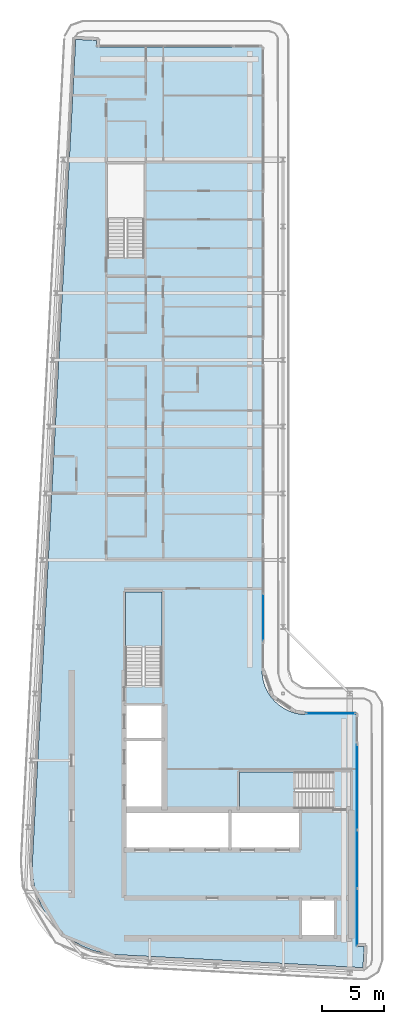
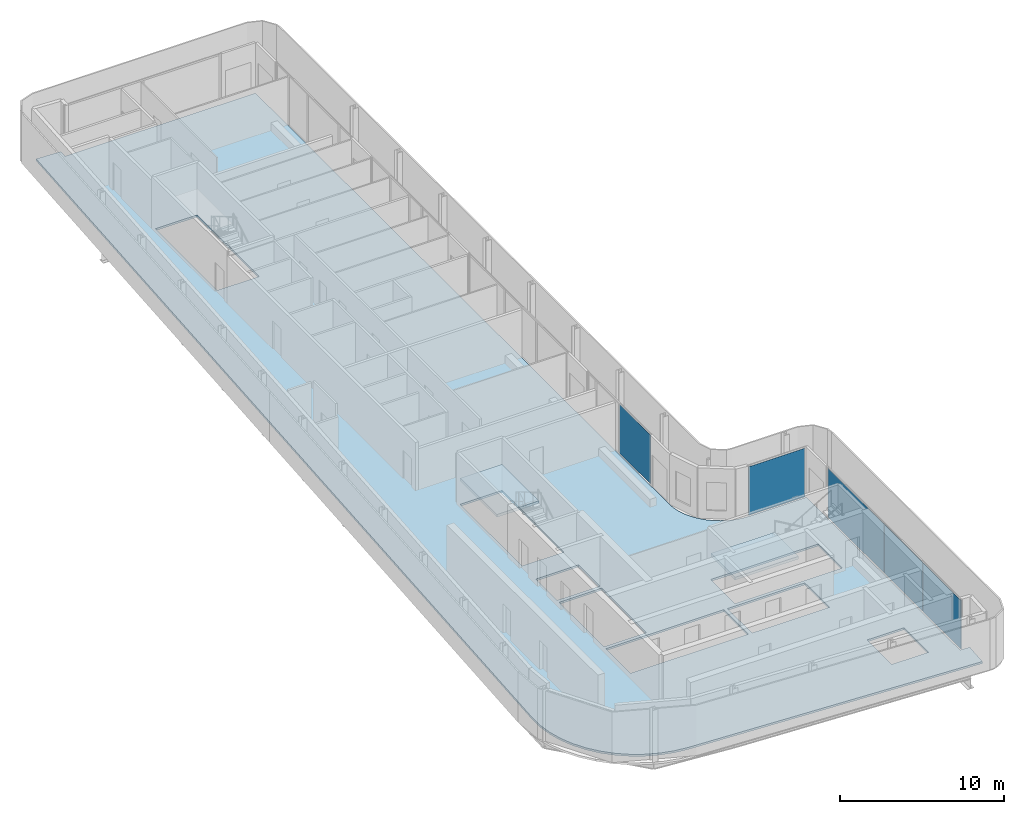
# One storey, part 7 of 18: 5 plates, 3 slabs, 6 elements without a shape of their own.
"""IFC4 building model written with IfcOpenShell, lengths in metres."""

from ifc_helpers import new_model, si_unit, direction, frame, origin, origin_2d, place, context, subcontext, project, spatial, polyline, rectangle, outline, extrude, material, layer, layer_set, type_object, element, aggregate, save


model = new_model("IFC4")

# Units and contexts
model_context = context("Model", 3, precision=1e-05, world=origin(), true_north=direction((0.0, 1.0)))
body_context = subcontext(model_context, "Body", "Model", "MODEL_VIEW")
ifc_project = project(units=[si_unit("LENGTHUNIT", "METRE"), si_unit("AREAUNIT", "SQUARE_METRE"), si_unit("VOLUMEUNIT", "CUBIC_METRE"), si_unit("PLANEANGLEUNIT", "RADIAN"), si_unit("MASSUNIT", "GRAM", prefix="KILO")], contexts=[model_context])

# Site, building, storey
site_placement = place(None, origin())
site = spatial("IfcSite", under=ifc_project, at=site_placement, CompositionType="ELEMENT")
building_placement = place(site_placement, origin())
building = spatial("IfcBuilding", under=site, at=building_placement, Name="Kheshtan School and Residences Tower", CompositionType="ELEMENT")
storey_placement = place(building_placement, frame((0.0, 0.0, 361.699951171875)))
storey = spatial("IfcBuildingStorey", under=building, at=storey_placement, Name="L85", CompositionType="ELEMENT", Elevation=361.699951171875)

# Curtain wall, plate
ifc_material_1 = material(Name="Clear low-e glass in thermally broken aluminium frame", Category="aluminium")
ifc_layer_1 = layer(ifc_material_1, 0.199951171875)
ifc_layer_set_1 = layer_set([ifc_layer_1], Name="Curtain wall CW-B")
curtain_wall_type_1 = type_object("IfcCurtainWallType", Name="Curtain wall CW-B", PredefinedType="NOTDEFINED", material=ifc_layer_set_1)
curtain_wall_1_placement = place(storey_placement, origin())
curtain_wall_1 = element("IfcCurtainWall", 1, at=curtain_wall_1_placement, inside=storey, type_object=curtain_wall_type_1, Name="Curtain wall CWB12", PredefinedType="NOTDEFINED")
ifc_layer_2 = layer(ifc_material_1, 0.031982421875)
ifc_layer_set_2 = layer_set([ifc_layer_2], Name="CW-B glass panel")
plate_type_1 = type_object("IfcPlateType", Name="CW-B glass panel", PredefinedType="CURTAIN_PANEL", material=ifc_layer_set_2)
plate_1_placement = place(storey_placement, frame((51.465087890625, 44.0, 0.0), z_axis=(0.0, 0.0, 1.0), x_axis=(1.0, 0.0, 0.0)))
plate_1 = element("IfcPlate", 2, at=plate_1_placement, type_object=plate_type_1, Name="CWB12 panel 1.1", PredefinedType="CURTAIN_PANEL", context=body_context, shape_type="SweptSolid", body=[
    extrude(rectangle(XDim=3.949951171875, YDim=0.031982421875, at=origin_2d()), origin(), (0.0, 0.0, 1.0), 3.6298828125),
])
aggregate(curtain_wall_1, [plate_1])

ifc_layer_3 = layer(ifc_material_1, 0.199951171875)
ifc_layer_set_3 = layer_set([ifc_layer_3], Name="Curtain wall CW-L")
curtain_wall_type_2 = type_object("IfcCurtainWallType", Name="Curtain wall CW-L", PredefinedType="NOTDEFINED", material=ifc_layer_set_3)
curtain_wall_2_placement = place(storey_placement, origin())
curtain_wall_2 = element("IfcCurtainWall", 3, at=curtain_wall_2_placement, inside=storey, type_object=curtain_wall_type_2, Name="Curtain wall CWL8c", PredefinedType="NOTDEFINED")
ifc_layer_4 = layer(ifc_material_1, 0.031982421875)
ifc_layer_set_4 = layer_set([ifc_layer_4], Name="CW-L glass panel")
plate_type_2 = type_object("IfcPlateType", Name="CW-L glass panel", PredefinedType="CURTAIN_PANEL", material=ifc_layer_set_4)
plate_2_placement = place(storey_placement, frame((46.0, 51.7685546875, 0.0), z_axis=(0.0, 0.0, 1.0), x_axis=(0.0, -1.0, 0.0)))
plate_2 = element("IfcPlate", 4, at=plate_2_placement, type_object=plate_type_2, Name="CWL8c panel 3.1", PredefinedType="CURTAIN_PANEL", context=body_context, shape_type="SweptSolid", body=[
    extrude(rectangle(XDim=3.757080078125, YDim=0.031982421875, at=origin_2d()), origin(), (0.0, 0.0, 1.0), 3.6298828125),
])
aggregate(curtain_wall_2, [plate_2])

curtain_wall_3_placement = place(storey_placement, origin())
curtain_wall_3 = element("IfcCurtainWall", 5, at=curtain_wall_3_placement, inside=storey, type_object=curtain_wall_type_2, Name="Curtain wall CWL13h", PredefinedType="NOTDEFINED")
plate_3_placement = place(storey_placement, frame((53.60009765625, 38.013916015625, 0.0), z_axis=(0.0, 0.0, 1.0), x_axis=(0.0, -1.0, 0.0)))
plate_3 = element("IfcPlate", 6, at=plate_3_placement, type_object=plate_type_2, Name="CWL13h panel 1.1", PredefinedType="CURTAIN_PANEL", context=body_context, shape_type="SweptSolid", body=[
    extrude(rectangle(XDim=6.85205078125, YDim=0.031982421875, at=origin_2d()), origin(), (0.0, 0.0, 1.0), 3.6298828125),
])
aggregate(curtain_wall_3, [plate_3])

# Curtain wall, plates
curtain_wall_4_placement = place(storey_placement, origin())
curtain_wall_4 = element("IfcCurtainWall", 7, at=curtain_wall_4_placement, inside=storey, type_object=curtain_wall_type_2, Name="Curtain wall CWL13i", PredefinedType="NOTDEFINED")
plate_4_placement = place(storey_placement, frame((53.60009765625, 32.199951171875, 0.0), z_axis=(0.0, 0.0, 1.0), x_axis=(0.0, -1.0, 0.0)))
plate_4 = element("IfcPlate", 8, at=plate_4_placement, type_object=plate_type_2, Name="CWL13i panel 1.1", PredefinedType="CURTAIN_PANEL", context=body_context, shape_type="SweptSolid", body=[
    extrude(rectangle(XDim=4.656005859375, YDim=0.031982421875, at=origin_2d()), origin(), (0.0, 0.0, 1.0), 3.6298828125),
])
plate_5_placement = place(storey_placement, frame((53.60009765625, 27.513916015625, 0.0), z_axis=(0.0, 0.0, 1.0), x_axis=(0.0, -1.0, 0.0)))
plate_5 = element("IfcPlate", 9, at=plate_5_placement, type_object=plate_type_2, Name="CWL13i panel 2.1", PredefinedType="CURTAIN_PANEL", context=body_context, shape_type="SweptSolid", body=[
    extrude(rectangle(XDim=4.595947265625, YDim=0.031982421875, at=origin_2d()), origin(), (0.0, 0.0, 1.0), 3.6298828125),
])
aggregate(curtain_wall_4, [plate_4, plate_5])

# Slab
ifc_material_2 = material(Name="Concrete C40/50", Category="concrete")
ifc_layer_5 = layer(ifc_material_2, 0.14990234375)
ifc_layer_set_5 = layer_set([ifc_layer_5], Name="Floor slab 150 Concrete C40/50")
slab_type_1 = type_object("IfcSlabType", Name="Floor slab 150 Concrete C40/50", PredefinedType="FLOOR", material=ifc_layer_set_5)
slab_1_placement = place(storey_placement, frame((0.0, 0.0, -0.14990234375)))
element("IfcSlab", 10, at=slab_1_placement, inside=storey, type_object=slab_type_1, Name="Floor slab L85", PredefinedType="FLOOR", context=body_context, shape_type="SweptSolid", body=[
    extrude(outline(polyline([(28.55908203125, 27.550048828125), (28.0849609375, 28.345947265625), (27.718017578125, 29.200927734375), (27.466064453125, 30.093017578125), (27.466064453125, 30.093994140625), (27.3330078125, 31.013916015625), (27.320068359375, 31.965087890625), (27.320068359375, 31.970947265625), (30.822021484375, 98.5009765625), (30.822998046875, 98.508056640625), (30.825927734375, 98.531005859375), (30.825927734375, 98.531982421875), (30.826904296875, 98.531982421875), (31.422119140625, 98.5), (31.423095703125, 98.5), (31.423095703125, 98.4990234375), (31.423095703125, 98.4951171875), (31.423095703125, 98.493896484375), (31.424072265625, 98.493896484375), (31.424072265625, 98.492919921875), (31.425048828125, 98.492919921875), (31.426025390625, 98.492919921875), (31.426025390625, 98.493896484375), (31.427978515625, 98.49609375), (31.428955078125, 98.4970703125), (31.429931640625, 98.498046875), (31.430908203125, 98.498046875), (31.430908203125, 98.4990234375), (31.431884765625, 98.4990234375), (31.431884765625, 98.5), (31.43505859375, 98.5009765625), (31.43603515625, 98.501953125), (31.43896484375, 98.501953125), (31.43994140625, 98.501953125), (31.43994140625, 98.5029296875), (31.44091796875, 98.5029296875), (31.446044921875, 98.5029296875), (32.5009765625, 98.447021484375), (32.50390625, 98.447021484375), (32.5048828125, 98.447021484375), (32.5048828125, 98.446044921875), (32.506103515625, 98.446044921875), (32.510009765625, 98.446044921875), (32.510009765625, 98.445068359375), (32.510986328125, 98.445068359375), (32.510986328125, 98.444091796875), (32.511962890625, 98.444091796875), (32.511962890625, 98.443115234375), (32.512939453125, 98.443115234375), (32.513916015625, 98.443115234375), (32.513916015625, 98.44189453125), (32.514892578125, 98.44189453125), (32.51611328125, 98.44189453125), (32.51904296875, 98.43896484375), (32.51904296875, 98.43798828125), (32.51904296875, 98.43701171875), (32.52001953125, 98.43701171875), (32.52001953125, 98.43603515625), (32.52099609375, 98.43603515625), (32.52099609375, 98.43408203125), (32.52099609375, 98.43310546875), (32.52197265625, 98.43310546875), (32.52197265625, 98.431884765625), (32.52294921875, 98.431884765625), (32.52294921875, 98.430908203125), (32.52294921875, 98.428955078125), (32.52294921875, 98.427978515625), (32.52392578125, 98.427978515625), (32.52392578125, 98.427001953125), (32.52392578125, 98.422119140625), (32.4970703125, 97.9208984375), (32.4970703125, 97.91796875), (32.4970703125, 97.9169921875), (32.49609375, 97.9169921875), (32.49609375, 97.916015625), (32.49609375, 97.912109375), (32.4951171875, 97.910888671875), (32.4951171875, 97.909912109375), (32.493896484375, 97.909912109375), (32.493896484375, 97.908935546875), (32.492919921875, 97.908935546875), (32.492919921875, 97.907958984375), (32.489013671875, 97.904052734375), (32.488037109375, 97.904052734375), (32.488037109375, 97.903076171875), (32.488037109375, 97.902099609375), (32.488037109375, 97.90087890625), (32.489013671875, 97.90087890625), (32.489013671875, 97.89990234375), (32.489990234375, 97.89990234375), (45.85498046875, 97.89990234375), (45.864990234375, 97.89794921875), (45.865966796875, 97.89794921875), (45.868896484375, 97.89599609375), (45.8740234375, 97.89404296875), (45.8779296875, 97.89208984375), (45.881103515625, 97.889892578125), (45.881103515625, 97.888916015625), (45.882080078125, 97.888916015625), (45.882080078125, 97.887939453125), (45.883056640625, 97.887939453125), (45.884033203125, 97.885009765625), (45.885009765625, 97.885009765625), (45.885009765625, 97.884033203125), (45.887939453125, 97.883056640625), (45.887939453125, 97.882080078125), (45.888916015625, 97.882080078125), (45.888916015625, 97.881103515625), (45.889892578125, 97.881103515625), (45.89208984375, 97.8779296875), (45.89404296875, 97.8740234375), (45.89599609375, 97.868896484375), (45.89794921875, 97.865966796875), (45.89794921875, 97.864990234375), (45.89990234375, 97.85498046875), (45.89990234375, 47.429931640625), (45.927001953125, 47.030029296875), (46.01806640625, 46.570068359375), (46.01806640625, 46.569091796875), (46.169921875, 46.1201171875), (46.37890625, 45.697021484375), (46.638916015625, 45.30810546875), (46.949951171875, 44.950927734375), (46.950927734375, 44.949951171875), (47.30810546875, 44.638916015625), (47.697021484375, 44.37890625), (48.1201171875, 44.169921875), (48.569091796875, 44.01806640625), (48.570068359375, 44.01806640625), (49.030029296875, 43.927001953125), (49.429931640625, 43.89990234375), (53.455078125, 43.89990234375), (53.465087890625, 43.89794921875), (53.466064453125, 43.89794921875), (53.468994140625, 43.89599609375), (53.47412109375, 43.89404296875), (53.47802734375, 43.89208984375), (53.48095703125, 43.889892578125), (53.48095703125, 43.888916015625), (53.48193359375, 43.888916015625), (53.48193359375, 43.887939453125), (53.48291015625, 43.887939453125), (53.48388671875, 43.885009765625), (53.485107421875, 43.885009765625), (53.485107421875, 43.884033203125), (53.488037109375, 43.883056640625), (53.488037109375, 43.882080078125), (53.489013671875, 43.882080078125), (53.489013671875, 43.881103515625), (53.489990234375, 43.881103515625), (53.491943359375, 43.8779296875), (53.493896484375, 43.8740234375), (53.49609375, 43.868896484375), (53.498046875, 43.865966796875), (53.498046875, 43.864990234375), (53.4990234375, 43.860107421875), (53.5, 43.85498046875), (53.5, 25.15087890625), (53.5, 25.14990234375), (53.5009765625, 25.14990234375), (53.5009765625, 25.14892578125), (53.501953125, 25.14892578125), (53.5029296875, 25.14892578125), (53.5029296875, 25.14990234375), (53.506103515625, 25.153076171875), (53.507080078125, 25.154052734375), (53.508056640625, 25.154052734375), (53.508056640625, 25.155029296875), (53.509033203125, 25.155029296875), (53.509033203125, 25.156005859375), (53.512939453125, 25.157958984375), (53.51611328125, 25.157958984375), (53.51708984375, 25.157958984375), (53.51708984375, 25.158935546875), (53.51806640625, 25.158935546875), (53.52294921875, 25.158935546875), (54.137939453125, 25.1259765625), (54.14111328125, 25.1259765625), (54.14208984375, 25.1259765625), (54.14208984375, 25.125), (54.14306640625, 25.125), (54.14697265625, 25.125), (54.14697265625, 25.1240234375), (54.14794921875, 25.1240234375), (54.14794921875, 25.123046875), (54.14892578125, 25.123046875), (54.14892578125, 25.1220703125), (54.14990234375, 25.1220703125), (54.15087890625, 25.1220703125), (54.15087890625, 25.12109375), (54.152099609375, 25.12109375), (54.153076171875, 25.12109375), (54.156005859375, 25.117919921875), (54.156005859375, 25.116943359375), (54.156005859375, 25.115966796875), (54.156982421875, 25.115966796875), (54.156982421875, 25.114990234375), (54.157958984375, 25.114990234375), (54.157958984375, 25.113037109375), (54.157958984375, 25.112060546875), (54.158935546875, 25.112060546875), (54.158935546875, 25.111083984375), (54.159912109375, 25.111083984375), (54.159912109375, 25.110107421875), (54.159912109375, 25.10791015625), (54.159912109375, 25.10693359375), (54.160888671875, 25.10693359375), (54.160888671875, 25.10595703125), (54.160888671875, 25.10107421875), (54.10498046875, 24.0439453125), (54.10498046875, 24.041015625), (54.10498046875, 24.0400390625), (54.10400390625, 24.0400390625), (54.10400390625, 24.0390625), (54.10400390625, 24.034912109375), (54.10302734375, 24.033935546875), (54.10302734375, 24.032958984375), (54.10205078125, 24.032958984375), (54.10205078125, 24.031982421875), (54.10107421875, 24.031982421875), (54.10107421875, 24.031005859375), (54.096923828125, 24.027099609375), (54.095947265625, 24.027099609375), (54.095947265625, 24.02587890625), (54.095947265625, 24.02490234375), (54.095947265625, 24.02392578125), (54.096923828125, 24.02392578125), (54.096923828125, 24.02294921875), (54.097900390625, 24.02294921875), (54.09912109375, 24.02294921875), (54.10009765625, 24.02294921875), (54.10009765625, 24.02197265625), (54.068115234375, 23.427001953125), (54.068115234375, 23.426025390625), (54.06689453125, 23.426025390625), (54.04296875, 23.425048828125), (54.0380859375, 23.425048828125), (34.056884765625, 24.47802734375), (33.114990234375, 24.590087890625), (32.215087890625, 24.819091796875), (32.214111328125, 24.819091796875), (31.35205078125, 25.1630859375), (30.541015625, 25.616943359375), (29.799072265625, 26.1708984375), (29.799072265625, 26.172119140625), (29.798095703125, 26.172119140625), (29.134033203125, 26.820068359375), (29.134033203125, 26.821044921875), (29.133056640625, 26.821044921875), (28.55908203125, 27.550048828125)]), holes=[polyline([(53.5009765625, 24.030029296875), (53.5, 24.030029296875), (53.5, 24.029052734375), (53.5, 24.02490234375), (53.5, 24.02392578125), (53.5009765625, 24.02392578125), (53.5009765625, 24.02294921875), (53.501953125, 24.02294921875), (53.506103515625, 24.02294921875), (53.507080078125, 24.02294921875), (53.507080078125, 24.02392578125), (53.508056640625, 24.02392578125), (53.508056640625, 24.02490234375), (53.508056640625, 24.02587890625), (53.507080078125, 24.02587890625), (53.50390625, 24.029052734375), (53.5029296875, 24.030029296875), (53.5029296875, 24.031005859375), (53.501953125, 24.031005859375), (53.5009765625, 24.031005859375), (53.5009765625, 24.030029296875)]), polyline([(31.424072265625, 97.906982421875), (31.423095703125, 97.906982421875), (31.423095703125, 97.906005859375), (31.423095703125, 97.902099609375), (31.423095703125, 97.90087890625), (31.424072265625, 97.90087890625), (31.424072265625, 97.89990234375), (31.425048828125, 97.89990234375), (31.428955078125, 97.89990234375), (31.429931640625, 97.89990234375), (31.429931640625, 97.90087890625), (31.430908203125, 97.90087890625), (31.430908203125, 97.902099609375), (31.430908203125, 97.903076171875), (31.429931640625, 97.903076171875), (31.428955078125, 97.904052734375), (31.427978515625, 97.905029296875), (31.427001953125, 97.906005859375), (31.426025390625, 97.906982421875), (31.426025390625, 97.907958984375), (31.425048828125, 97.907958984375), (31.424072265625, 97.907958984375), (31.424072265625, 97.906982421875)]), polyline([(51.72509765625, 28.925048828125), (49.125, 28.925048828125), (49.125, 25.925048828125), (51.72509765625, 25.925048828125), (51.72509765625, 28.925048828125)]), polyline([(43.175048828125, 33.074951171875), (43.175048828125, 36.074951171875), (34.875, 36.074951171875), (34.875, 33.074951171875), (43.175048828125, 33.074951171875)]), polyline([(43.425048828125, 36.074951171875), (43.425048828125, 33.074951171875), (48.875, 33.074951171875), (48.875, 36.074951171875), (43.425048828125, 36.074951171875)]), polyline([(51.64990234375, 37.699951171875), (51.64990234375, 39.25), (44.090087890625, 39.25), (44.090087890625, 36.300048828125), (51.639892578125, 36.300048828125), (51.639892578125, 37.699951171875), (51.64990234375, 37.699951171875)]), polyline([(37.875, 41.77490234375), (34.875, 41.77490234375), (34.875, 36.324951171875), (37.875, 36.324951171875), (37.875, 41.77490234375)]), polyline([(37.875, 44.625), (34.875, 44.625), (34.875, 42.02490234375), (37.875, 42.02490234375), (37.875, 44.625)]), polyline([(37.800048828125, 53.81005859375), (34.85009765625, 53.81005859375), (34.85009765625, 46.260009765625), (36.25, 46.260009765625), (36.25, 46.25), (37.800048828125, 46.25), (37.800048828125, 53.81005859375)]), polyline([(36.35009765625, 88.4599609375), (33.39990234375, 88.4599609375), (33.39990234375, 80.909912109375), (34.800048828125, 80.909912109375), (34.800048828125, 80.89990234375), (36.35009765625, 80.89990234375), (36.35009765625, 88.4599609375)])]), origin(), (0.0, 0.0, 1.0), 0.14990234375),
])

# Stair, slab
stair_type = type_object("IfcStairType", Name="Exit stair, half-turn", PredefinedType="HALF_TURN_STAIR", material=ifc_material_2)
stair_1_placement = place(storey_placement, origin())
stair_1 = element("IfcStair", 11, at=stair_1_placement, inside=storey, type_object=stair_type, Name="L85 Protected Exit Stair ST1", PredefinedType="HALF_TURN_STAIR")
ifc_layer_6 = layer(ifc_material_2, 0.199951171875)
ifc_layer_set_6 = layer_set([ifc_layer_6], Name="Stair landing 200 Concrete C40/50")
slab_type_2 = type_object("IfcSlabType", Name="Stair landing 200 Concrete C40/50", PredefinedType="LANDING", material=ifc_layer_set_6)
slab_2_placement = place(storey_placement, frame((0.0, 0.0, 1.75)))
slab_2 = element("IfcSlab", 12, at=slab_2_placement, type_object=slab_type_2, Name="ST1 landing 1", PredefinedType="LANDING", context=body_context, shape_type="SweptSolid", body=[
    extrude(outline(polyline([(48.570068359375, 39.25), (44.090087890625, 39.25), (44.090087890625, 36.300048828125), (48.570068359375, 36.300048828125), (48.570068359375, 39.25)])), origin(), (0.0, 0.0, 1.0), 0.199951171875),
])
aggregate(stair_1, [slab_2])

stair_2_placement = place(storey_placement, origin())
stair_2 = element("IfcStair", 13, at=stair_2_placement, inside=storey, type_object=stair_type, Name="L85 Protected Exit Stair ST2", PredefinedType="HALF_TURN_STAIR")
slab_3_placement = place(storey_placement, frame((0.0, 0.0, 1.75)))
slab_3 = element("IfcSlab", 14, at=slab_3_placement, type_object=slab_type_2, Name="ST2 landing 1", PredefinedType="LANDING", context=body_context, shape_type="SweptSolid", body=[
    extrude(outline(polyline([(37.800048828125, 49.330078125), (37.800048828125, 53.81005859375), (34.85009765625, 53.81005859375), (34.85009765625, 49.330078125), (37.800048828125, 49.330078125)])), origin(), (0.0, 0.0, 1.0), 0.199951171875),
])
aggregate(stair_2, [slab_3])

save(model, "model.ifc")
